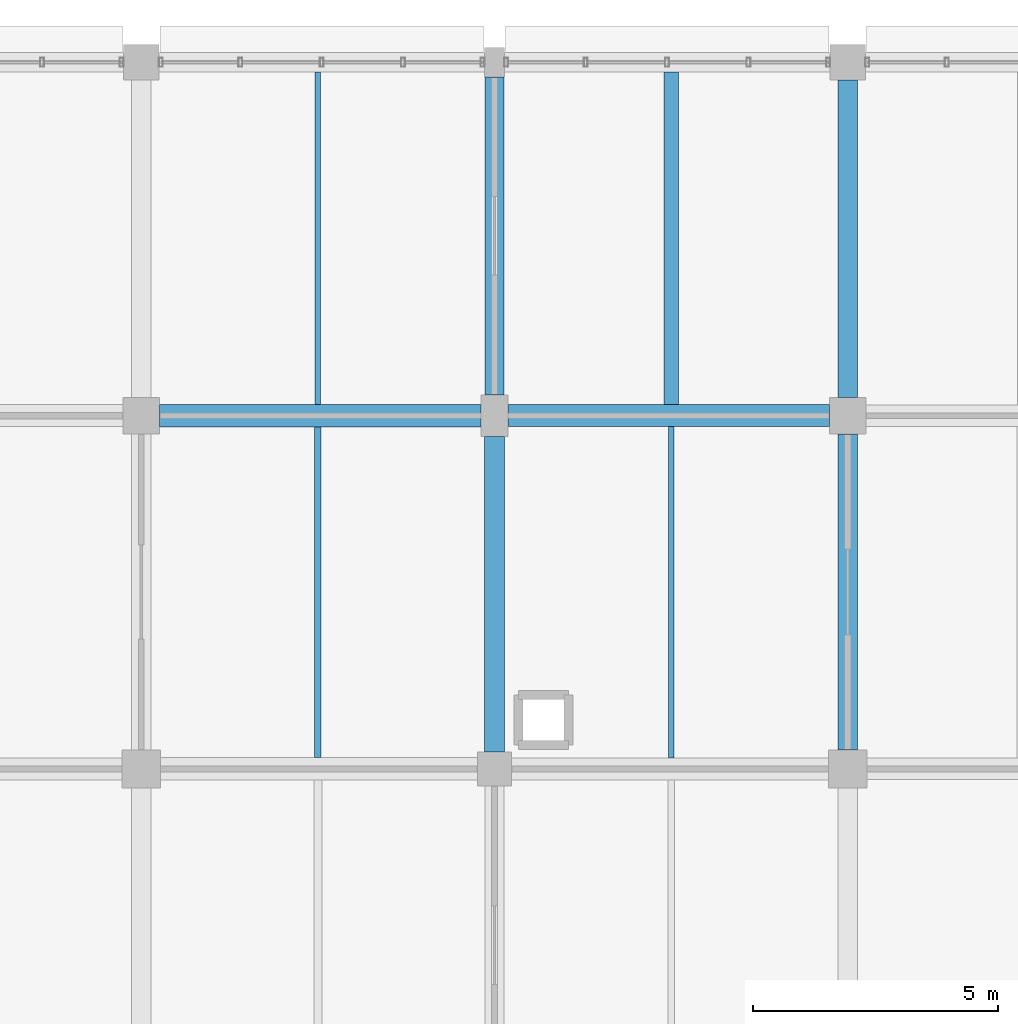
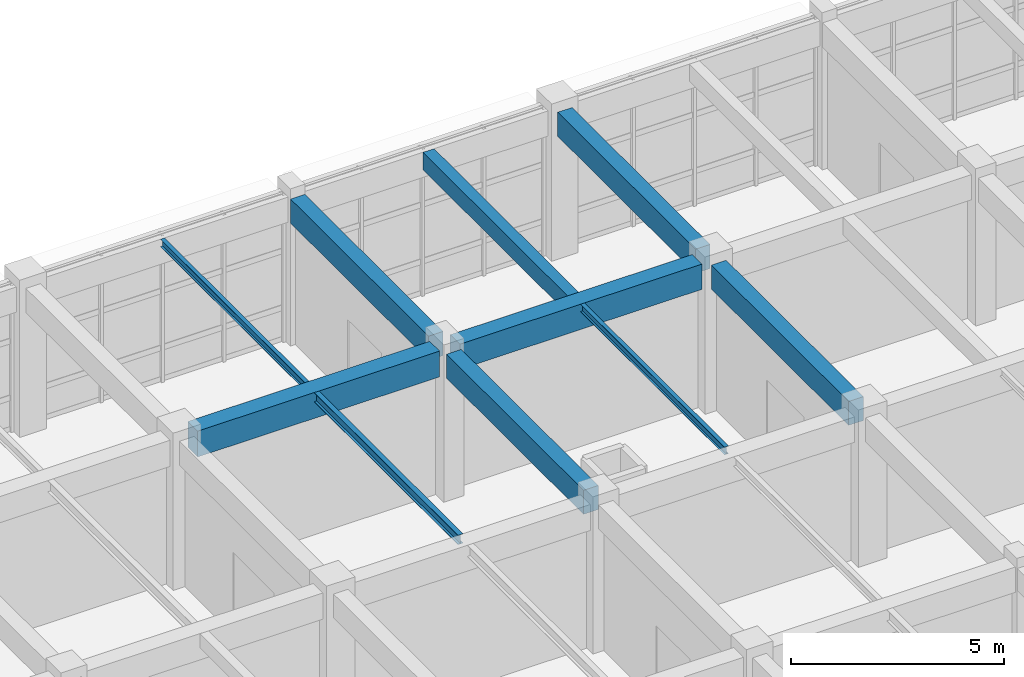
# One storey, part 80 of 171: 10 beams.
"""IFC4 building model written with IfcOpenShell, lengths in metres."""

from ifc_helpers import new_model, si_unit, direction, frame, origin, origin_2d, place, context, subcontext, project, spatial, rectangle, i_section, extrude, material, material_profile, profile_set, type_object, element, save


model = new_model("IFC4")

# Units and contexts
model_context = context("Model", 3, precision=1e-05, world=origin(), true_north=direction((0.0, 1.0)))
body_context = subcontext(model_context, "Body", "Model", "MODEL_VIEW")
ifc_project = project(units=[si_unit("LENGTHUNIT", "METRE"), si_unit("AREAUNIT", "SQUARE_METRE"), si_unit("VOLUMEUNIT", "CUBIC_METRE"), si_unit("PLANEANGLEUNIT", "RADIAN"), si_unit("MASSUNIT", "GRAM", prefix="KILO")], contexts=[model_context])

# Site, building, storey
site_placement = place(None, origin())
site = spatial("IfcSite", under=ifc_project, at=site_placement, CompositionType="ELEMENT")
building_placement = place(site_placement, origin())
building = spatial("IfcBuilding", under=site, at=building_placement, Name="Thalmaran Polytechnic", CompositionType="ELEMENT")
storey_placement = place(building_placement, frame((0.0, 0.0, 5.39990234375)))
storey = spatial("IfcBuildingStorey", under=building, at=storey_placement, Name="L01", CompositionType="ELEMENT", Elevation=5.39990234375)

# Beams
ifc_material_1 = material(Name="Concrete C40/50", Category="concrete")
ifc_material_profile_1 = material_profile(ifc_material_1, rectangle(XDim=0.449951171875, YDim=0.72509765625, at=origin_2d()), Name="RC 450x725")
ifc_profile_set_1 = profile_set([ifc_material_profile_1], Name="Concrete C40/50")
beam_type_1 = type_object("IfcBeamType", Name="BM-RC04", PredefinedType="BEAM", material=ifc_profile_set_1)
beam_1_placement = place(storey_placement, frame((86.675048828125, 115.199951171875, 3.84765625), z_axis=(1.0, 0.0, 0.0), x_axis=(0.0, 1.0, 0.0)))
element("IfcBeam", 1, at=beam_1_placement, inside=storey, type_object=beam_type_1, Name="Grid Beam B04 L01 X(12,16)", PredefinedType="BEAM", context=body_context, shape_type="SweptSolid", body=[
    extrude(rectangle(XDim=0.449951171875, YDim=0.72509765625, at=origin_2d()), origin(), (0.0, 0.0, 1.0), 6.550048828125),
])
ifc_material_profile_2 = material_profile(ifc_material_1, rectangle(XDim=0.389892578125, YDim=0.68994140625, at=origin_2d()), Name="RC 390x690")
ifc_profile_set_2 = profile_set([ifc_material_profile_2], Name="Concrete C40/50")
beam_type_2 = type_object("IfcBeamType", Name="BM-RC09", PredefinedType="BEAM", material=ifc_profile_set_2)
beam_2_placement = place(storey_placement, frame((86.39990234375, 115.625, 3.864990234375), z_axis=(0.0, 1.0, 0.0), x_axis=(-1.0, 0.0, 0.0)))
element("IfcBeam", 2, at=beam_2_placement, inside=storey, type_object=beam_type_2, Name="Grid Beam B09 L01 Y(12,16)", PredefinedType="BEAM", context=body_context, shape_type="SweptSolid", body=[
    extrude(rectangle(XDim=0.389892578125, YDim=0.68994140625, at=origin_2d()), origin(), (0.0, 0.0, 1.0), 6.47509765625),
])
beam_3_placement = place(storey_placement, frame((93.60009765625, 115.574951171875, 3.864990234375), z_axis=(0.0, 1.0, 0.0), x_axis=(-1.0, 0.0, 0.0)))
element("IfcBeam", 3, at=beam_3_placement, inside=storey, type_object=beam_type_2, Name="Grid Beam B09 L01 Y(13,16)", PredefinedType="BEAM", context=body_context, shape_type="SweptSolid", body=[
    extrude(rectangle(XDim=0.389892578125, YDim=0.68994140625, at=origin_2d()), origin(), (0.0, 0.0, 1.0), 6.465087890625),
])
ifc_material_profile_3 = material_profile(ifc_material_1, rectangle(XDim=0.300048828125, YDim=0.5, at=origin_2d()), Name="RC 300x500")
ifc_profile_set_3 = profile_set([ifc_material_profile_3], Name="Concrete C40/50")
beam_type_3 = type_object("IfcBeamType", Name="BM-RC11", PredefinedType="JOIST", material=ifc_profile_set_3)
beam_4_placement = place(storey_placement, frame((90.0, 115.425048828125, 3.960205078125), z_axis=(0.0, 1.0, 0.0), x_axis=(-1.0, 0.0, 0.0)))
element("IfcBeam", 4, at=beam_4_placement, inside=storey, type_object=beam_type_3, Name="Secondary Floor Rib RB01 L01 (12,16)", PredefinedType="JOIST", context=body_context, shape_type="SweptSolid", body=[
    extrude(rectangle(XDim=0.300048828125, YDim=0.5, at=origin_2d()), origin(), (0.0, 0.0, 1.0), 6.77490234375),
])
ifc_material_2 = material(Name="Steel S355", Category="steel")
ifc_material_profile_4 = material_profile(ifc_material_2, i_section(OverallWidth=0.135009765625, OverallDepth=0.27001953125, WebThickness=0.006591796875, FlangeThickness=0.01025390625, at=origin_2d()), Name="IPE 270")
ifc_profile_set_4 = profile_set([ifc_material_profile_4], Name="Steel S355")
beam_type_4 = type_object("IfcBeamType", Name="BM-SJ03", PredefinedType="JOIST", material=ifc_profile_set_4)
beam_5_placement = place(storey_placement, frame((82.800048828125, 108.22998046875, 4.0751953125), z_axis=(0.0, 1.0, 0.0), x_axis=(-1.0, 0.0, 0.0)))
element("IfcBeam", 5, at=beam_5_placement, inside=storey, type_object=beam_type_4, Name="Secondary Floor Rib SJ03 L01 (11,15)", PredefinedType="JOIST", context=body_context, shape_type="SweptSolid", body=[
    extrude(i_section(OverallWidth=0.135009765625, OverallDepth=0.27001953125, WebThickness=0.006591796875, FlangeThickness=0.01025390625, at=origin_2d()), origin(), (0.0, 0.0, 1.0), 6.739990234375),
])
ifc_material_profile_5 = material_profile(ifc_material_2, i_section(OverallWidth=0.110107421875, OverallDepth=0.219970703125, WebThickness=0.005859375, FlangeThickness=0.00927734375, at=origin_2d()), Name="IPE 220")
ifc_profile_set_5 = profile_set([ifc_material_profile_5], Name="Steel S355")
beam_type_5 = type_object("IfcBeamType", Name="BM-SJ04", PredefinedType="JOIST", material=ifc_profile_set_5)
beam_6_placement = place(storey_placement, frame((82.800048828125, 115.429931640625, 4.10009765625), z_axis=(0.0, 1.0, 0.0), x_axis=(-1.0, 0.0, 0.0)))
element("IfcBeam", 6, at=beam_6_placement, inside=storey, type_object=beam_type_5, Name="Secondary Floor Rib SJ04 L01 (11,16)", PredefinedType="JOIST", context=body_context, shape_type="SweptSolid", body=[
    extrude(i_section(OverallWidth=0.110107421875, OverallDepth=0.219970703125, WebThickness=0.005859375, FlangeThickness=0.00927734375, at=origin_2d()), origin(), (0.0, 0.0, 1.0), 6.77001953125),
])
beam_7_placement = place(storey_placement, frame((90.0, 108.22509765625, 4.10009765625), z_axis=(0.0, 1.0, 0.0), x_axis=(-1.0, 0.0, 0.0)))
element("IfcBeam", 7, at=beam_7_placement, inside=storey, type_object=beam_type_5, Name="Secondary Floor Rib SJ04 L01 (12,15)", PredefinedType="JOIST", context=body_context, shape_type="SweptSolid", body=[
    extrude(i_section(OverallWidth=0.110107421875, OverallDepth=0.219970703125, WebThickness=0.005859375, FlangeThickness=0.00927734375, at=origin_2d()), origin(), (0.0, 0.0, 1.0), 6.75),
])
ifc_material_profile_6 = material_profile(ifc_material_1, rectangle(XDim=0.4599609375, YDim=0.739990234375, at=origin_2d()), Name="RC 460x740")
ifc_profile_set_6 = profile_set([ifc_material_profile_6], Name="Concrete C40/50")
beam_type_6 = type_object("IfcBeamType", Name="BM-ZB02", PredefinedType="BEAM", material=ifc_profile_set_6)
beam_8_placement = place(storey_placement, frame((79.574951171875, 115.199951171875, 3.840087890625), z_axis=(1.0, 0.0, 0.0), x_axis=(0.0, 1.0, 0.0)))
element("IfcBeam", 8, at=beam_8_placement, inside=storey, type_object=beam_type_6, Name="Grid Beam ZB02 L01 X(11,16)", PredefinedType="BEAM", context=body_context, shape_type="SweptSolid", body=[
    extrude(rectangle(XDim=0.4599609375, YDim=0.739990234375, at=origin_2d()), origin(), (0.0, 0.0, 1.0), 6.550048828125),
])
ifc_material_profile_7 = material_profile(ifc_material_1, rectangle(XDim=0.39990234375, YDim=0.68505859375, at=origin_2d()), Name="RC 400x685")
ifc_profile_set_7 = profile_set([ifc_material_profile_7], Name="Concrete C40/50")
beam_type_7 = type_object("IfcBeamType", Name="BM-ZB07", PredefinedType="BEAM", material=ifc_profile_set_7)
beam_9_placement = place(storey_placement, frame((86.39990234375, 108.35009765625, 3.86767578125), z_axis=(0.0, 1.0, 0.0), x_axis=(-1.0, 0.0, 0.0)))
element("IfcBeam", 9, at=beam_9_placement, inside=storey, type_object=beam_type_7, Name="Grid Beam ZB07 L01 Y(12,15)", PredefinedType="BEAM", context=body_context, shape_type="SweptSolid", body=[
    extrude(rectangle(XDim=0.39990234375, YDim=0.68505859375, at=origin_2d()), origin(), (0.0, 0.0, 1.0), 6.4248046875),
])
beam_10_placement = place(storey_placement, frame((93.60009765625, 108.389892578125, 3.86767578125), z_axis=(0.0, 1.0, 0.0), x_axis=(-1.0, 0.0, 0.0)))
element("IfcBeam", 10, at=beam_10_placement, inside=storey, type_object=beam_type_7, Name="Grid Beam ZB07 L01 Y(13,15)", PredefinedType="BEAM", context=body_context, shape_type="SweptSolid", body=[
    extrude(rectangle(XDim=0.39990234375, YDim=0.68505859375, at=origin_2d()), origin(), (0.0, 0.0, 1.0), 6.43505859375),
])

save(model, "model.ifc")
